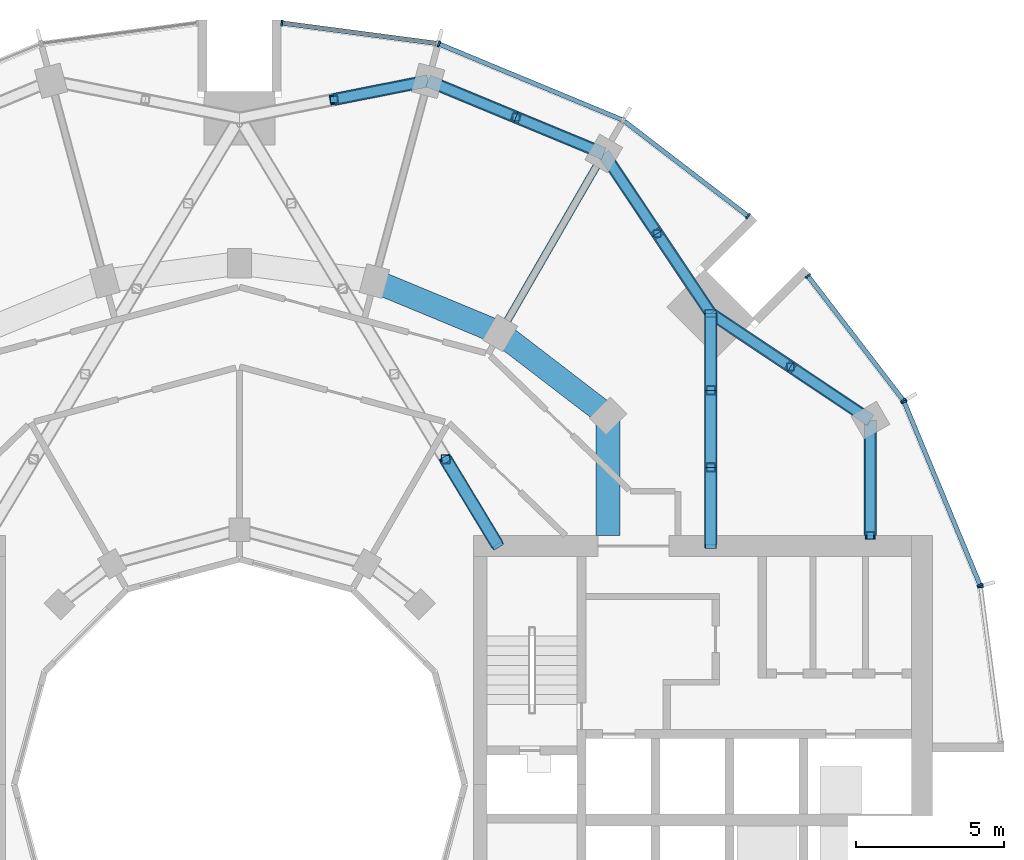
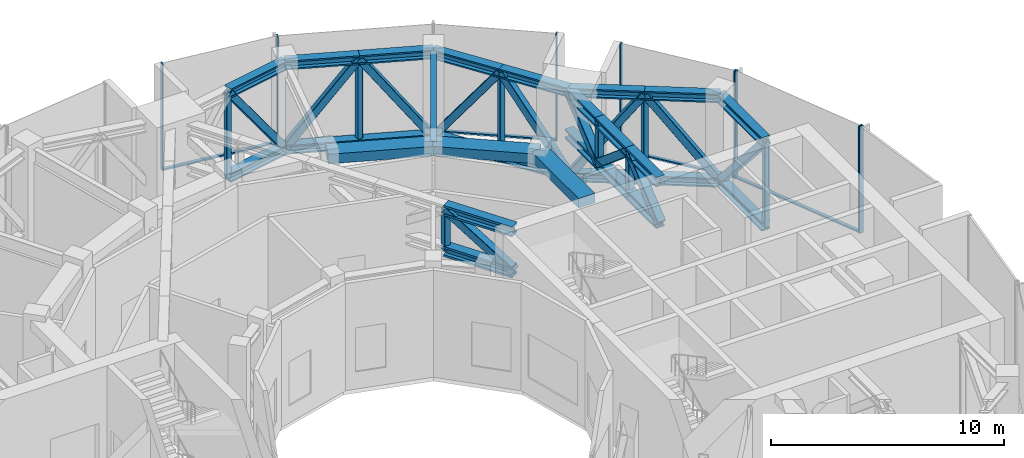
# One storey, part 9 of 18: 57 members, 4 beams, 6 elements without a shape of their own.
"""IFC4 building model written with IfcOpenShell, lengths in metres."""

from ifc_helpers import new_model, si_unit, direction, frame, origin, origin_2d, place, context, subcontext, project, spatial, rectangle, hollow_rectangle, i_section, extrude, material, layer, layer_set, material_profile, profile_set, type_object, element, aggregate, save


model = new_model("IFC4")

# Units and contexts
model_context = context("Model", 3, precision=1e-05, world=origin(), true_north=direction((0.0, 1.0)))
body_context = subcontext(model_context, "Body", "Model", "MODEL_VIEW")
ifc_project = project(units=[si_unit("LENGTHUNIT", "METRE"), si_unit("AREAUNIT", "SQUARE_METRE"), si_unit("VOLUMEUNIT", "CUBIC_METRE"), si_unit("PLANEANGLEUNIT", "RADIAN"), si_unit("MASSUNIT", "GRAM", prefix="KILO")], contexts=[model_context])

# Site, building, storey
site_placement = place(None, origin())
site = spatial("IfcSite", under=ifc_project, at=site_placement, CompositionType="ELEMENT")
building_placement = place(site_placement, origin())
building = spatial("IfcBuilding", under=site, at=building_placement, Name="Torre Brocal", CompositionType="ELEMENT")
storey_placement = place(building_placement, frame((0.0, 0.0, 109.0)))
storey = spatial("IfcBuildingStorey", under=building, at=storey_placement, Name="L25", CompositionType="ELEMENT", Elevation=109.0)

# Members
ifc_material_1 = material(Name="Steel A500 Grade C", Category="steel")
ifc_material_profile_1 = material_profile(ifc_material_1, hollow_rectangle(XDim=0.25390625, YDim=0.25390625, WallThickness=0.01171875, InnerFilletRadius=0.01171875, OuterFilletRadius=0.023681640625, at=origin_2d()), Name="HSS10X10X1/2")
ifc_profile_set_1 = profile_set([ifc_material_profile_1], Name="Steel A500 Grade C")
member_type_1 = type_object("IfcMemberType", Name="BELT 1 POST HSS10X10X1/2", PredefinedType="POST", material=ifc_profile_set_1)
for number, where, z_axis, x_axis, name in (
    (1, (98.607177734375, 89.10498046875, 0.63232421875), (0.0, 0.0, 1.0), (1.0, 0.0, 0.0), "Member BT1-P01"),
    (2, (94.10498046875, 93.607177734375, 0.63232421875), (0.0, 0.0, 1.0), (1.0, 0.0, 0.0), "Member BT1-P02"),
    (3, (89.33349609375, 97.532958984375, 0.63232421875), (0.0, 0.0, 1.0), (1.0, 0.0, 0.0), "Member BT1-P03"),
    (4, (83.18359375, 98.130859375, 0.63232421875), (0.0, 0.0, 1.0), (1.0, 0.0, 0.0), "Member BT1-P04"),
    (5, (101.30419921875, 83.39990234375, 0.63232421875), (0.0, 0.0, 1.0), (1.0, 0.0, 0.0), "Member BT1-P20"),
):
    element("IfcMember", number, at=place(storey_placement, frame(where, z_axis=z_axis, x_axis=x_axis)), inside=storey, type_object=member_type_1, Name=name, PredefinedType="POST", context=body_context, shape_type="SweptSolid", body=[
        extrude(hollow_rectangle(XDim=0.25390625, YDim=0.25390625, WallThickness=0.01171875, InnerFilletRadius=0.01171875, OuterFilletRadius=0.023681640625, at=origin_2d()), origin(), (0.0, 0.0, 1.0), 4.415283203125),
    ])

# Curtain wall, members
ifc_material_2 = material(Name="Aluminium and glass", Category="aluminium")
ifc_layer_1 = layer(ifc_material_2, 0.199951171875)
ifc_layer_set_1 = layer_set([ifc_layer_1], Name="Aluminium and glass")
curtain_wall_type_1 = type_object("IfcCurtainWallType", Name="CW-1 CURTAIN WALL 5600 HIGH", PredefinedType="NOTDEFINED", material=ifc_layer_set_1)
curtain_wall_1_placement = place(storey_placement, origin())
curtain_wall_1 = element("IfcCurtainWall", 6, at=curtain_wall_1_placement, inside=storey, type_object=curtain_wall_type_1, Name="CW-1 RUN 2", PredefinedType="NOTDEFINED")
ifc_material_3 = material(Name="Aluminium, dark anodised", Category="aluminium")
ifc_material_profile_2 = material_profile(ifc_material_3, rectangle(XDim=0.199951171875, YDim=0.06005859375, at=origin_2d()), Name="CW-1 MULLION 60X200")
ifc_profile_set_2 = profile_set([ifc_material_profile_2], Name="Aluminium, dark anodised")
member_type_2 = type_object("IfcMemberType", Name="CW-1 MULLION 60X200", PredefinedType="MULLION", material=ifc_profile_set_2)
member_1_placement = place(storey_placement, frame((105.005126953125, 81.73095703125, 0.0), z_axis=(0.0, 0.0, 1.0), x_axis=(-0.923879532525, -0.382683432333, 0.0)))
member_1 = element("IfcMember", 7, at=member_1_placement, type_object=member_type_2, Name="CW1-2 mullion 1", PredefinedType="MULLION", context=body_context, shape_type="SweptSolid", body=[
    extrude(rectangle(XDim=0.199951171875, YDim=0.06005859375, at=origin_2d()), origin(), (0.0, 0.0, 1.0), 5.60009765625),
])
member_2_placement = place(storey_placement, frame((102.440673828125, 87.921875, 0.0), z_axis=(0.0, 0.0, 1.0), x_axis=(-0.923879532525, -0.382683432333, 0.0)))
member_2 = element("IfcMember", 8, at=member_2_placement, type_object=member_type_2, Name="CW1-2 mullion 2", PredefinedType="MULLION", context=body_context, shape_type="SweptSolid", body=[
    extrude(rectangle(XDim=0.199951171875, YDim=0.06005859375, at=origin_2d()), origin(), (0.0, 0.0, 1.0), 5.60009765625),
])

curtain_wall_2_placement = place(storey_placement, origin())
curtain_wall_2 = element("IfcCurtainWall", 9, at=curtain_wall_2_placement, inside=storey, type_object=curtain_wall_type_1, Name="CW-1 RUN 3", PredefinedType="NOTDEFINED")
member_3_placement = place(storey_placement, frame((102.4111328125, 87.973388671875, 0.0), z_axis=(0.0, 0.0, 1.0), x_axis=(-0.793353340259, -0.60876142905, 0.0)))
member_3 = element("IfcMember", 10, at=member_3_placement, type_object=member_type_2, Name="CW1-2 mullion 1", PredefinedType="MULLION", context=body_context, shape_type="SweptSolid", body=[
    extrude(rectangle(XDim=0.199951171875, YDim=0.06005859375, at=origin_2d()), origin(), (0.0, 0.0, 1.0), 5.60009765625),
])
member_4_placement = place(storey_placement, frame((99.19140625, 92.16943359375, 0.0), z_axis=(0.0, 0.0, 1.0), x_axis=(-0.793353340259, -0.60876142905, 0.0)))
member_4 = element("IfcMember", 11, at=member_4_placement, type_object=member_type_2, Name="CW1-2 mullion 2", PredefinedType="MULLION", context=body_context, shape_type="SweptSolid", body=[
    extrude(rectangle(XDim=0.199951171875, YDim=0.06005859375, at=origin_2d()), origin(), (0.0, 0.0, 1.0), 5.60009765625),
])

# Curtain wall, member
curtain_wall_3_placement = place(storey_placement, origin())
curtain_wall_3 = element("IfcCurtainWall", 12, at=curtain_wall_3_placement, inside=storey, type_object=curtain_wall_type_1, Name="CW-1 RUN 4", PredefinedType="NOTDEFINED")
member_5_placement = place(storey_placement, frame((97.16943359375, 94.19140625, 0.0), z_axis=(0.0, 0.0, 1.0), x_axis=(-0.60876142905, -0.793353340259, 0.0)))
member_5 = element("IfcMember", 13, at=member_5_placement, type_object=member_type_2, Name="CW1-2 mullion 1", PredefinedType="MULLION", context=body_context, shape_type="SweptSolid", body=[
    extrude(rectangle(XDim=0.199951171875, YDim=0.06005859375, at=origin_2d()), origin(), (0.0, 0.0, 1.0), 5.60009765625),
])

curtain_wall_4_placement = place(storey_placement, origin())
curtain_wall_4 = element("IfcCurtainWall", 14, at=curtain_wall_4_placement, inside=storey, type_object=curtain_wall_type_1, Name="CW-1 RUN 5", PredefinedType="NOTDEFINED")
member_6_placement = place(storey_placement, frame((86.73095703125, 100.005126953125, 0.0), z_axis=(0.0, 0.0, 1.0), x_axis=(-0.382683432333, -0.923879532525, 0.0)))
member_6 = element("IfcMember", 15, at=member_6_placement, type_object=member_type_2, Name="CW1-2 mullion 2", PredefinedType="MULLION", context=body_context, shape_type="SweptSolid", body=[
    extrude(rectangle(XDim=0.199951171875, YDim=0.06005859375, at=origin_2d()), origin(), (0.0, 0.0, 1.0), 5.60009765625),
])

curtain_wall_5_placement = place(storey_placement, origin())
curtain_wall_5 = element("IfcCurtainWall", 16, at=curtain_wall_5_placement, inside=storey, type_object=curtain_wall_type_1, Name="CW-1 RUN 6", PredefinedType="NOTDEFINED")
member_7_placement = place(storey_placement, frame((81.4296875, 100.7109375, 0.0), z_axis=(0.0, 0.0, 1.0), x_axis=(-0.13052619222, -0.991444861374, 0.0)))
member_7 = element("IfcMember", 17, at=member_7_placement, type_object=member_type_2, Name="CW1-2 mullion 2", PredefinedType="MULLION", context=body_context, shape_type="SweptSolid", body=[
    extrude(rectangle(XDim=0.199951171875, YDim=0.06005859375, at=origin_2d()), origin(), (0.0, 0.0, 1.0), 5.60009765625),
])

# Member
ifc_material_4 = material(Name="Aluminium, dark anodised", Category="aluminium")
ifc_material_profile_3 = material_profile(ifc_material_4, rectangle(XDim=0.159912109375, YDim=0.080078125, at=origin_2d()), Name="CW-1 TRANSOM 160X80")
ifc_profile_set_3 = profile_set([ifc_material_profile_3], Name="Aluminium, dark anodised")
member_type_3 = type_object("IfcMemberType", Name="CW-1 TRANSOM 160X80", PredefinedType="USERDEFINED", material=ifc_profile_set_3)
member_8_placement = place(storey_placement, frame((104.99365234375, 81.758544921875, 0.0400390625), z_axis=(-0.38266457234, 0.923887344364, 0.0), x_axis=(-0.923887344364, -0.38266457234, 0.0)))
member_8 = element("IfcMember", 18, at=member_8_placement, type_object=member_type_3, Name="CW1-2 transom 1.1", ObjectType="TRANSOM", PredefinedType="USERDEFINED", context=body_context, shape_type="SweptSolid", body=[
    extrude(rectangle(XDim=0.159912109375, YDim=0.080078125, at=origin_2d()), origin(), (0.0, 0.0, 1.0), 6.640869140625),
])

aggregate(curtain_wall_1, [member_1, member_2, member_8])

member_9_placement = place(storey_placement, frame((102.392822265625, 87.9970703125, 0.0400390625), z_axis=(-0.60874908096, 0.79336281513, 0.0), x_axis=(-0.79336281513, -0.60874908096, 0.0)))
member_9 = element("IfcMember", 19, at=member_9_placement, type_object=member_type_3, Name="CW1-2 transom 1.1", ObjectType="TRANSOM", PredefinedType="USERDEFINED", context=body_context, shape_type="SweptSolid", body=[
    extrude(rectangle(XDim=0.159912109375, YDim=0.080078125, at=origin_2d()), origin(), (0.0, 0.0, 1.0), 5.22900390625),
])

aggregate(curtain_wall_2, [member_3, member_4, member_9])

member_10_placement = place(storey_placement, frame((97.1455078125, 94.209716796875, 0.0400390625), z_axis=(-0.79336281513, 0.60874908096, 0.0), x_axis=(-0.60874908096, -0.79336281513, 0.0)))
member_10 = element("IfcMember", 20, at=member_10_placement, type_object=member_type_3, Name="CW1-2 transom 1.1", ObjectType="TRANSOM", PredefinedType="USERDEFINED", context=body_context, shape_type="SweptSolid", body=[
    extrude(rectangle(XDim=0.159912109375, YDim=0.080078125, at=origin_2d()), origin(), (0.0, 0.0, 1.0), 5.22900390625),
])

aggregate(curtain_wall_3, [member_5, member_10])

member_11_placement = place(storey_placement, frame((92.89404296875, 97.452392578125, 0.0400390625), z_axis=(-0.923887344364, 0.38266457234, 0.0), x_axis=(-0.38266457234, -0.923887344364, 0.0)))
member_11 = element("IfcMember", 21, at=member_11_placement, type_object=member_type_3, Name="CW1-2 transom 1.1", ObjectType="TRANSOM", PredefinedType="USERDEFINED", context=body_context, shape_type="SweptSolid", body=[
    extrude(rectangle(XDim=0.159912109375, YDim=0.080078125, at=origin_2d()), origin(), (0.0, 0.0, 1.0), 6.640869140625),
])

aggregate(curtain_wall_4, [member_6, member_11])

member_12_placement = place(storey_placement, frame((86.643798828125, 100.0244140625, 0.0400390625), z_axis=(-0.991442690863, 0.130542677827, 0.0), x_axis=(-0.130542677827, -0.991442690863, 0.0)))
member_12 = element("IfcMember", 22, at=member_12_placement, type_object=member_type_3, Name="CW1-2 transom 1.1", ObjectType="TRANSOM", PredefinedType="USERDEFINED", context=body_context, shape_type="SweptSolid", body=[
    extrude(rectangle(XDim=0.159912109375, YDim=0.080078125, at=origin_2d()), origin(), (0.0, 0.0, 1.0), 5.22900390625),
])

aggregate(curtain_wall_5, [member_7, member_12])

# Curtain wall, member
ifc_material_5 = material(Name="Aluminium and glass", Category="aluminium")
ifc_layer_2 = layer(ifc_material_5, 0.199951171875)
ifc_layer_set_2 = layer_set([ifc_layer_2], Name="Aluminium and glass")
curtain_wall_type_2 = type_object("IfcCurtainWallType", Name="CW-1B CURTAIN WALL 5600 HIGH", PredefinedType="NOTDEFINED", material=ifc_layer_set_2)
curtain_wall_6_placement = place(storey_placement, origin())
curtain_wall_6 = element("IfcCurtainWall", 23, at=curtain_wall_6_placement, inside=storey, type_object=curtain_wall_type_2, Name="CW-1B RUN 1", PredefinedType="NOTDEFINED")
ifc_material_6 = material(Name="Aluminium, dark anodised", Category="aluminium")
ifc_material_profile_4 = material_profile(ifc_material_6, rectangle(XDim=0.199951171875, YDim=0.06005859375, at=origin_2d()), Name="CW-1B MULLION 60X200")
ifc_profile_set_4 = profile_set([ifc_material_profile_4], Name="Aluminium, dark anodised")
member_type_4 = type_object("IfcMemberType", Name="CW-1B MULLION 60X200", PredefinedType="MULLION", material=ifc_profile_set_4)
member_13_placement = place(storey_placement, frame((105.0205078125, 81.67333984375, 0.0), z_axis=(0.0, 0.0, 1.0), x_axis=(-0.991444861374, -0.13052619222, 0.0)))
member_13 = element("IfcMember", 24, at=member_13_placement, type_object=member_type_4, Name="CW1B-2 mullion 2", PredefinedType="MULLION", context=body_context, shape_type="SweptSolid", body=[
    extrude(rectangle(XDim=0.199951171875, YDim=0.06005859375, at=origin_2d()), origin(), (0.0, 0.0, 1.0), 5.60009765625),
])
aggregate(curtain_wall_6, [member_13])

# Members
ifc_material_7 = material(Name="Steel A500 Grade C", Category="steel")
ifc_material_profile_5 = material_profile(ifc_material_7, hollow_rectangle(XDim=0.3046875, YDim=0.3046875, WallThickness=0.014892578125, InnerFilletRadius=0.014892578125, OuterFilletRadius=0.029541015625, at=origin_2d()), Name="HSS12X12X5/8")
ifc_profile_set_5 = profile_set([ifc_material_profile_5], Name="Steel A500 Grade C")
member_type_5 = type_object("IfcMemberType", Name="OUTRIGGER 1 POST HSS12X12X5/8", PredefinedType="POST", material=ifc_profile_set_5)
for number, where, z_axis, x_axis, name in (
    (25, (95.909912109375, 85.703369140625, 2.848876953125), (0.0, 0.0, 1.0), (1.0, 0.0, 0.0), "Member OT1-P01"),
    (26, (95.909912109375, 88.306640625, 2.848876953125), (0.0, 0.0, 1.0), (1.0, 0.0, 0.0), "Member OT1-P02"),
):
    element("IfcMember", number, at=place(storey_placement, frame(where, z_axis=z_axis, x_axis=x_axis)), inside=storey, type_object=member_type_5, Name=name, PredefinedType="POST", context=body_context, shape_type="SweptSolid", body=[
        extrude(hollow_rectangle(XDim=0.3046875, YDim=0.3046875, WallThickness=0.014892578125, InnerFilletRadius=0.014892578125, OuterFilletRadius=0.029541015625, at=origin_2d()), origin(), (0.0, 0.0, 1.0), 2.18212890625),
    ])
member_14_placement = place(storey_placement, frame((86.9599609375, 85.97998046875, 2.865478515625), z_axis=(0.0, 0.0, 1.0), x_axis=(1.0, 0.0, 0.0)))
element("IfcMember", 27, at=member_14_placement, inside=storey, type_object=member_type_5, Name="Member OT1-P03", PredefinedType="POST", context=body_context, shape_type="SweptSolid", body=[
    extrude(hollow_rectangle(XDim=0.3046875, YDim=0.3046875, WallThickness=0.014892578125, InnerFilletRadius=0.014892578125, OuterFilletRadius=0.029541015625, at=origin_2d()), origin(), (0.0, 0.0, 1.0), 2.149169921875),
])

# Beams
ifc_material_8 = material(Name="Steel A992", Category="steel")
ifc_material_profile_6 = material_profile(ifc_material_8, i_section(OverallWidth=0.256591796875, OverallDepth=0.693359375, WebThickness=0.014404296875, FlangeThickness=0.023681640625, at=origin_2d()), Name="W27X114")
ifc_profile_set_6 = profile_set([ifc_material_profile_6], Name="Steel A992")
beam_type_1 = type_object("IfcBeamType", Name="PLANT FLOOR BEAM TOP 5280 W27X114", PredefinedType="BEAM", material=ifc_profile_set_6)
beam_1_placement = place(storey_placement, frame((88.800048828125, 90.241943359375, 4.933349609375), z_axis=(0.499995173006, 0.866028190633, 0.0), x_axis=(-0.866028190633, 0.499995173006, 0.0)))
element("IfcBeam", 28, at=beam_1_placement, inside=storey, type_object=beam_type_1, Name="Beam SF-01", PredefinedType="BEAM", context=body_context, shape_type="SweptSolid", body=[
    extrude(i_section(OverallWidth=0.256591796875, OverallDepth=0.693359375, WebThickness=0.014404296875, FlangeThickness=0.023681640625, at=origin_2d()), origin(), (0.0, 0.0, 1.0), 7.0),
])
ifc_material_9 = material(Name="Concrete C50", Category="concrete")
ifc_material_profile_7 = material_profile(ifc_material_9, rectangle(XDim=0.800048828125, YDim=0.5, at=origin_2d()), Name="RC 800X500")
ifc_profile_set_7 = profile_set([ifc_material_profile_7], Name="Concrete C50")
beam_type_2 = type_object("IfcBeamType", Name="RC BEAM 800X500 C50 TOP 5280", PredefinedType="BEAM", material=ifc_profile_set_7)
beam_2_placement = place(storey_placement, frame((92.445068359375, 87.445068359375, 5.030029296875), z_axis=(-0.793358265959, 0.6087550097, 0.0), x_axis=(-0.6087550097, -0.793358265959, 0.0)))
element("IfcBeam", 29, at=beam_2_placement, inside=storey, type_object=beam_type_2, Name="Beam BT-27", PredefinedType="BEAM", context=body_context, shape_type="SweptSolid", body=[
    extrude(rectangle(XDim=0.800048828125, YDim=0.5, at=origin_2d()), origin(), (0.0, 0.0, 1.0), 4.594482421875),
])
beam_3_placement = place(storey_placement, frame((88.800048828125, 90.241943359375, 5.030029296875), z_axis=(-0.923878240166, 0.382686552348, 0.0), x_axis=(-0.382686552348, -0.923878240166, 0.0)))
element("IfcBeam", 30, at=beam_3_placement, inside=storey, type_object=beam_type_2, Name="Beam BT-27", PredefinedType="BEAM", context=body_context, shape_type="SweptSolid", body=[
    extrude(rectangle(XDim=0.800048828125, YDim=0.5, at=origin_2d()), origin(), (0.0, 0.0, 1.0), 4.5947265625),
])
beam_4_placement = place(storey_placement, frame((92.445068359375, 87.445068359375, 5.030029296875), z_axis=(0.0, -1.0, 0.0), x_axis=(1.0, 0.0, 0.0)))
element("IfcBeam", 31, at=beam_4_placement, inside=storey, type_object=beam_type_2, Name="Beam BT-27", PredefinedType="BEAM", context=body_context, shape_type="SweptSolid", body=[
    extrude(rectangle(XDim=0.800048828125, YDim=0.5, at=origin_2d()), origin(), (0.0, 0.0, 1.0), 4.045166015625),
])

# Members
ifc_material_10 = material(Name="Steel A992", Category="steel")
ifc_material_profile_8 = material_profile(ifc_material_10, i_section(OverallWidth=0.421630859375, OverallDepth=0.46484375, WebThickness=0.044921875, FlangeThickness=0.072509765625, at=origin_2d()), Name="W14X398")
ifc_profile_set_8 = profile_set([ifc_material_profile_8], Name="Steel A992")
member_type_6 = type_object("IfcMemberType", Name="TRUSS BOTTOM CHORD W14X398", PredefinedType="CHORD", material=ifc_profile_set_8)
for number, where, z_axis, x_axis, name in (
    (32, (101.30419921875, 87.300048828125, 0.63232421875), (-0.831065209559, 0.556174988166, 0.0), (-0.556174988166, -0.831065209559, 0.0), "Member BT1-C02"),
    (33, (98.607177734375, 89.10498046875, 0.63232421875), (-0.831088478302, 0.556140217242, 0.0), (-0.556140217242, -0.831088478302, 0.0), "Member BT1-C04"),
    (34, (95.909912109375, 90.909912109375, 0.63232421875), (-0.556140217242, 0.831088478302, 0.0), (-0.831088478302, -0.556140217242, 0.0), "Member BT1-C06"),
    (35, (94.10498046875, 93.607177734375, 0.63232421875), (-0.556174988166, 0.831065209559, 0.0), (-0.831065209559, -0.556174988166, 0.0), "Member BT1-C08"),
):
    element("IfcMember", number, at=place(storey_placement, frame(where, z_axis=z_axis, x_axis=x_axis)), inside=storey, type_object=member_type_6, Name=name, PredefinedType="CHORD", context=body_context, shape_type="SweptSolid", body=[
        extrude(i_section(OverallWidth=0.421630859375, OverallDepth=0.46484375, WebThickness=0.044921875, FlangeThickness=0.072509765625, at=origin_2d()), origin(), (0.0, 0.0, 1.0), 3.245361328125),
    ])
for number, where, z_axis, x_axis, name in (
    (36, (92.300048828125, 96.30419921875, 0.63232421875), (-0.923882462513, 0.382676358639, 0.0), (-0.382676358639, -0.923882462513, 0.0), "Member BT1-C10"),
    (37, (89.33349609375, 97.532958984375, 0.63232421875), (-0.923882462513, 0.382676358639, 0.0), (-0.382676358639, -0.923882462513, 0.0), "Member BT1-C12"),
):
    element("IfcMember", number, at=place(storey_placement, frame(where, z_axis=z_axis, x_axis=x_axis)), inside=storey, type_object=member_type_6, Name=name, PredefinedType="CHORD", context=body_context, shape_type="SweptSolid", body=[
        extrude(i_section(OverallWidth=0.421630859375, OverallDepth=0.46484375, WebThickness=0.044921875, FlangeThickness=0.072509765625, at=origin_2d()), origin(), (0.0, 0.0, 1.0), 3.2109375),
    ])
member_15_placement = place(storey_placement, frame((86.366943359375, 98.76171875, 0.63232421875), z_axis=(-0.980923486126, -0.194394224108, 0.0), x_axis=(0.194394224108, -0.980923486126, 0.0)))
element("IfcMember", 38, at=member_15_placement, inside=storey, type_object=member_type_6, Name="Member BT1-C14", PredefinedType="CHORD", context=body_context, shape_type="SweptSolid", body=[
    extrude(i_section(OverallWidth=0.421630859375, OverallDepth=0.46484375, WebThickness=0.044921875, FlangeThickness=0.072509765625, at=origin_2d()), origin(), (0.0, 0.0, 1.0), 3.245361328125),
])
member_16_placement = place(storey_placement, frame((101.30419921875, 87.300048828125, 0.63232421875), z_axis=(0.0, -1.0, 0.0), x_axis=(1.0, 0.0, 0.0)))
element("IfcMember", 39, at=member_16_placement, inside=storey, type_object=member_type_6, Name="Member BT1-C72", PredefinedType="CHORD", context=body_context, shape_type="SweptSolid", body=[
    extrude(i_section(OverallWidth=0.421630859375, OverallDepth=0.46484375, WebThickness=0.044921875, FlangeThickness=0.072509765625, at=origin_2d()), origin(), (0.0, 0.0, 1.0), 3.900146484375),
])
ifc_material_11 = material(Name="Steel A992", Category="steel")
ifc_material_profile_9 = material_profile(ifc_material_11, i_section(OverallWidth=0.431884765625, OverallDepth=0.497802734375, WebThickness=0.0556640625, FlangeThickness=0.0888671875, at=origin_2d()), Name="W14X500")
ifc_profile_set_9 = profile_set([ifc_material_profile_9], Name="Steel A992")
member_type_7 = type_object("IfcMemberType", Name="TRUSS BOTTOM CHORD W14X500", PredefinedType="CHORD", material=ifc_profile_set_9)
for number, where, z_axis, x_axis, name in (
    (40, (95.909912109375, 83.10009765625, 2.848876953125), (0.0, 1.0, 0.0), (-1.0, 0.0, 0.0), "Member OT1-C02"),
    (41, (95.909912109375, 85.703369140625, 2.848876953125), (0.0, 1.0, 0.0), (-1.0, 0.0, 0.0), "Member OT1-C04"),
    (42, (95.909912109375, 88.306640625, 2.848876953125), (0.0, 1.0, 0.0), (-1.0, 0.0, 0.0), "Member OT1-C06"),
):
    element("IfcMember", number, at=place(storey_placement, frame(where, z_axis=z_axis, x_axis=x_axis)), inside=storey, type_object=member_type_7, Name=name, PredefinedType="CHORD", context=body_context, shape_type="SweptSolid", body=[
        extrude(i_section(OverallWidth=0.431884765625, OverallDepth=0.497802734375, WebThickness=0.0556640625, FlangeThickness=0.0888671875, at=origin_2d()), origin(), (0.0, 0.0, 1.0), 2.603271484375),
    ])
ifc_material_12 = material(Name="Steel A992", Category="steel")
ifc_material_profile_10 = material_profile(ifc_material_12, i_section(OverallWidth=0.44189453125, OverallDepth=0.531005859375, WebThickness=0.06591796875, FlangeThickness=0.105712890625, at=origin_2d()), Name="W14X605")
ifc_profile_set_10 = profile_set([ifc_material_profile_10], Name="Steel A992")
member_type_8 = type_object("IfcMemberType", Name="TRUSS BOTTOM CHORD W14X605", PredefinedType="CHORD", material=ifc_profile_set_10)
member_17_placement = place(storey_placement, frame((88.699951171875, 83.10009765625, 2.865478515625), z_axis=(-0.517128928912, 0.855907513042, 0.0), x_axis=(-0.855907513042, -0.517128928912, 0.0)))
element("IfcMember", 43, at=member_17_placement, inside=storey, type_object=member_type_8, Name="Member OT1-C08", PredefinedType="CHORD", context=body_context, shape_type="SweptSolid", body=[
    extrude(i_section(OverallWidth=0.44189453125, OverallDepth=0.531005859375, WebThickness=0.06591796875, FlangeThickness=0.105712890625, at=origin_2d()), origin(), (0.0, 0.0, 1.0), 3.36474609375),
])
ifc_material_13 = material(Name="Steel A500 Grade C", Category="steel")
ifc_material_profile_11 = material_profile(ifc_material_13, hollow_rectangle(XDim=0.355712890625, YDim=0.355712890625, WallThickness=0.014892578125, InnerFilletRadius=0.014892578125, OuterFilletRadius=0.029541015625, at=origin_2d()), Name="HSS14X14X5/8")
ifc_profile_set_11 = profile_set([ifc_material_profile_11], Name="Steel A500 Grade C")
member_type_9 = type_object("IfcMemberType", Name="TRUSS DIAGONAL HSS14X14X5/8", PredefinedType="BRACE", material=ifc_profile_set_11)
for number, where, z_axis, x_axis, name in (
    (44, (101.30419921875, 87.300048828125, 0.63232421875), (-0.492189749034, 0.329388867078, 0.805761891126), (-0.556174988166, -0.831065209559, 0.0), "Member BT1-D01"),
    (45, (98.607177734375, 89.10498046875, 5.047607421875), (-0.492223508801, 0.329381643787, -0.805744221276), (-0.556140217242, -0.831088478302, 0.0), "Member BT1-D02"),
    (46, (95.909912109375, 90.909912109375, 0.63232421875), (-0.329381643787, 0.492223508801, 0.805744221276), (-0.831088478302, -0.556140217242, 0.0), "Member BT1-D03"),
    (47, (94.10498046875, 93.607177734375, 5.047607421875), (-0.329388867078, 0.492189749034, -0.805761891126), (-0.831065209559, -0.556174988166, 0.0), "Member BT1-D04"),
):
    element("IfcMember", number, at=place(storey_placement, frame(where, z_axis=z_axis, x_axis=x_axis)), inside=storey, type_object=member_type_9, Name=name, PredefinedType="BRACE", context=body_context, shape_type="SweptSolid", body=[
        extrude(hollow_rectangle(XDim=0.355712890625, YDim=0.355712890625, WallThickness=0.014892578125, InnerFilletRadius=0.014892578125, OuterFilletRadius=0.029541015625, at=origin_2d()), origin(), (0.0, 0.0, 1.0), 5.479736328125),
    ])
for number, where, z_axis, x_axis, name in (
    (48, (92.300048828125, 96.30419921875, 0.63232421875), (-0.543384725643, 0.225072448701, 0.80874930156), (-0.382676358639, -0.923882462513, 0.0), "Member BT1-D05"),
    (49, (89.33349609375, 97.532958984375, 5.047607421875), (-0.543384725643, 0.225072448701, -0.80874930156), (-0.382676358639, -0.923882462513, 0.0), "Member BT1-D06"),
):
    element("IfcMember", number, at=place(storey_placement, frame(where, z_axis=z_axis, x_axis=x_axis)), inside=storey, type_object=member_type_9, Name=name, PredefinedType="BRACE", context=body_context, shape_type="SweptSolid", body=[
        extrude(hollow_rectangle(XDim=0.355712890625, YDim=0.355712890625, WallThickness=0.014892578125, InnerFilletRadius=0.014892578125, OuterFilletRadius=0.029541015625, at=origin_2d()), origin(), (0.0, 0.0, 1.0), 5.45947265625),
    ])
member_18_placement = place(storey_placement, frame((86.366943359375, 98.76171875, 0.63232421875), z_axis=(-0.580941672273, -0.115127945483, 0.805761955906), x_axis=(0.194394224108, -0.980923486126, 0.0)))
element("IfcMember", 50, at=member_18_placement, inside=storey, type_object=member_type_9, Name="Member BT1-D07", PredefinedType="BRACE", context=body_context, shape_type="SweptSolid", body=[
    extrude(hollow_rectangle(XDim=0.355712890625, YDim=0.355712890625, WallThickness=0.014892578125, InnerFilletRadius=0.014892578125, OuterFilletRadius=0.029541015625, at=origin_2d()), origin(), (0.0, 0.0, 1.0), 5.479736328125),
])
member_19_placement = place(storey_placement, frame((101.30419921875, 87.300048828125, 0.63232421875), z_axis=(0.0, -0.662032730549, 0.749474925319), x_axis=(1.0, 0.0, 0.0)))
element("IfcMember", 51, at=member_19_placement, inside=storey, type_object=member_type_9, Name="Member BT1-D36", PredefinedType="BRACE", context=body_context, shape_type="SweptSolid", body=[
    extrude(hollow_rectangle(XDim=0.355712890625, YDim=0.355712890625, WallThickness=0.014892578125, InnerFilletRadius=0.014892578125, OuterFilletRadius=0.029541015625, at=origin_2d()), origin(), (0.0, 0.0, 1.0), 5.89111328125),
])
ifc_material_14 = material(Name="Steel A500 Grade C", Category="steel")
ifc_material_profile_12 = material_profile(ifc_material_14, hollow_rectangle(XDim=0.406494140625, YDim=0.406494140625, WallThickness=0.017578125, InnerFilletRadius=0.017578125, OuterFilletRadius=0.035400390625, at=origin_2d()), Name="HSS16X16X3/4")
ifc_profile_set_12 = profile_set([ifc_material_profile_12], Name="Steel A500 Grade C")
member_type_10 = type_object("IfcMemberType", Name="TRUSS DIAGONAL HSS16X16X3/4", PredefinedType="BRACE", material=ifc_profile_set_12)
for number, where, z_axis, x_axis, name in (
    (52, (95.909912109375, 83.10009765625, 2.848876953125), (0.0, 0.766374156466, 0.642394467832), (-1.0, 0.0, 0.0), "Member OT1-D01"),
    (53, (95.909912109375, 85.703369140625, 5.031005859375), (0.0, 0.766374156466, -0.642394467832), (-1.0, 0.0, 0.0), "Member OT1-D02"),
    (54, (95.909912109375, 88.306640625, 2.848876953125), (0.0, 0.766374156466, 0.642394467832), (-1.0, 0.0, 0.0), "Member OT1-D03"),
):
    element("IfcMember", number, at=place(storey_placement, frame(where, z_axis=z_axis, x_axis=x_axis)), inside=storey, type_object=member_type_10, Name=name, PredefinedType="BRACE", context=body_context, shape_type="SweptSolid", body=[
        extrude(hollow_rectangle(XDim=0.406494140625, YDim=0.406494140625, WallThickness=0.017578125, InnerFilletRadius=0.017578125, OuterFilletRadius=0.035400390625, at=origin_2d()), origin(), (0.0, 0.0, 1.0), 3.39697265625),
    ])
member_20_placement = place(storey_placement, frame((88.699951171875, 83.10009765625, 2.865478515625), z_axis=(-0.435812440092, 0.72131942519, 0.538298991179), x_axis=(-0.855907513042, -0.517128928912, 0.0)))
element("IfcMember", 55, at=member_20_placement, inside=storey, type_object=member_type_10, Name="Member OT1-D04", PredefinedType="BRACE", context=body_context, shape_type="SweptSolid", body=[
    extrude(hollow_rectangle(XDim=0.406494140625, YDim=0.406494140625, WallThickness=0.017578125, InnerFilletRadius=0.017578125, OuterFilletRadius=0.035400390625, at=origin_2d()), origin(), (0.0, 0.0, 1.0), 3.992431640625),
])
ifc_material_15 = material(Name="Steel A992", Category="steel")
ifc_material_profile_13 = material_profile(ifc_material_15, i_section(OverallWidth=0.421630859375, OverallDepth=0.46484375, WebThickness=0.044921875, FlangeThickness=0.072509765625, at=origin_2d()), Name="W14X398")
ifc_profile_set_13 = profile_set([ifc_material_profile_13], Name="Steel A992")
member_type_11 = type_object("IfcMemberType", Name="TRUSS TOP CHORD W14X398", PredefinedType="CHORD", material=ifc_profile_set_13)
for number, where, z_axis, x_axis, name in (
    (56, (101.30419921875, 87.300048828125, 5.047607421875), (-0.831065209559, 0.556174988166, 0.0), (-0.556174988166, -0.831065209559, 0.0), "Member BT1-C01"),
    (57, (98.607177734375, 89.10498046875, 5.047607421875), (-0.831088478302, 0.556140217242, 0.0), (-0.556140217242, -0.831088478302, 0.0), "Member BT1-C03"),
    (58, (95.909912109375, 90.909912109375, 5.047607421875), (-0.556140217242, 0.831088478302, 0.0), (-0.831088478302, -0.556140217242, 0.0), "Member BT1-C05"),
    (59, (94.10498046875, 93.607177734375, 5.047607421875), (-0.556174988166, 0.831065209559, 0.0), (-0.831065209559, -0.556174988166, 0.0), "Member BT1-C07"),
):
    element("IfcMember", number, at=place(storey_placement, frame(where, z_axis=z_axis, x_axis=x_axis)), inside=storey, type_object=member_type_11, Name=name, PredefinedType="CHORD", context=body_context, shape_type="SweptSolid", body=[
        extrude(i_section(OverallWidth=0.421630859375, OverallDepth=0.46484375, WebThickness=0.044921875, FlangeThickness=0.072509765625, at=origin_2d()), origin(), (0.0, 0.0, 1.0), 3.245361328125),
    ])
for number, where, z_axis, x_axis, name in (
    (60, (92.300048828125, 96.30419921875, 5.047607421875), (-0.923882462513, 0.382676358639, 0.0), (-0.382676358639, -0.923882462513, 0.0), "Member BT1-C09"),
    (61, (89.33349609375, 97.532958984375, 5.047607421875), (-0.923882462513, 0.382676358639, 0.0), (-0.382676358639, -0.923882462513, 0.0), "Member BT1-C11"),
):
    element("IfcMember", number, at=place(storey_placement, frame(where, z_axis=z_axis, x_axis=x_axis)), inside=storey, type_object=member_type_11, Name=name, PredefinedType="CHORD", context=body_context, shape_type="SweptSolid", body=[
        extrude(i_section(OverallWidth=0.421630859375, OverallDepth=0.46484375, WebThickness=0.044921875, FlangeThickness=0.072509765625, at=origin_2d()), origin(), (0.0, 0.0, 1.0), 3.2109375),
    ])
member_21_placement = place(storey_placement, frame((86.366943359375, 98.76171875, 5.047607421875), z_axis=(-0.980923486126, -0.194394224108, 0.0), x_axis=(0.194394224108, -0.980923486126, 0.0)))
element("IfcMember", 62, at=member_21_placement, inside=storey, type_object=member_type_11, Name="Member BT1-C13", PredefinedType="CHORD", context=body_context, shape_type="SweptSolid", body=[
    extrude(i_section(OverallWidth=0.421630859375, OverallDepth=0.46484375, WebThickness=0.044921875, FlangeThickness=0.072509765625, at=origin_2d()), origin(), (0.0, 0.0, 1.0), 3.245361328125),
])
member_22_placement = place(storey_placement, frame((101.30419921875, 87.300048828125, 5.047607421875), z_axis=(0.0, -1.0, 0.0), x_axis=(1.0, 0.0, 0.0)))
element("IfcMember", 63, at=member_22_placement, inside=storey, type_object=member_type_11, Name="Member BT1-C71", PredefinedType="CHORD", context=body_context, shape_type="SweptSolid", body=[
    extrude(i_section(OverallWidth=0.421630859375, OverallDepth=0.46484375, WebThickness=0.044921875, FlangeThickness=0.072509765625, at=origin_2d()), origin(), (0.0, 0.0, 1.0), 3.900146484375),
])
ifc_material_16 = material(Name="Steel A992", Category="steel")
ifc_material_profile_14 = material_profile(ifc_material_16, i_section(OverallWidth=0.431884765625, OverallDepth=0.497802734375, WebThickness=0.0556640625, FlangeThickness=0.0888671875, at=origin_2d()), Name="W14X500")
ifc_profile_set_14 = profile_set([ifc_material_profile_14], Name="Steel A992")
member_type_12 = type_object("IfcMemberType", Name="TRUSS TOP CHORD W14X500", PredefinedType="CHORD", material=ifc_profile_set_14)
for number, where, z_axis, x_axis, name in (
    (64, (95.909912109375, 83.10009765625, 5.031005859375), (0.0, 1.0, 0.0), (-1.0, 0.0, 0.0), "Member OT1-C01"),
    (65, (95.909912109375, 85.703369140625, 5.031005859375), (0.0, 1.0, 0.0), (-1.0, 0.0, 0.0), "Member OT1-C03"),
    (66, (95.909912109375, 88.306640625, 5.031005859375), (0.0, 1.0, 0.0), (-1.0, 0.0, 0.0), "Member OT1-C05"),
):
    element("IfcMember", number, at=place(storey_placement, frame(where, z_axis=z_axis, x_axis=x_axis)), inside=storey, type_object=member_type_12, Name=name, PredefinedType="CHORD", context=body_context, shape_type="SweptSolid", body=[
        extrude(i_section(OverallWidth=0.431884765625, OverallDepth=0.497802734375, WebThickness=0.0556640625, FlangeThickness=0.0888671875, at=origin_2d()), origin(), (0.0, 0.0, 1.0), 2.603271484375),
    ])
ifc_material_17 = material(Name="Steel A992", Category="steel")
ifc_material_profile_15 = material_profile(ifc_material_17, i_section(OverallWidth=0.44189453125, OverallDepth=0.531005859375, WebThickness=0.06591796875, FlangeThickness=0.105712890625, at=origin_2d()), Name="W14X605")
ifc_profile_set_15 = profile_set([ifc_material_profile_15], Name="Steel A992")
member_type_13 = type_object("IfcMemberType", Name="TRUSS TOP CHORD W14X605", PredefinedType="CHORD", material=ifc_profile_set_15)
member_23_placement = place(storey_placement, frame((88.699951171875, 83.10009765625, 5.0146484375), z_axis=(-0.517128928912, 0.855907513042, 0.0), x_axis=(-0.855907513042, -0.517128928912, 0.0)))
element("IfcMember", 67, at=member_23_placement, inside=storey, type_object=member_type_13, Name="Member OT1-C07", PredefinedType="CHORD", context=body_context, shape_type="SweptSolid", body=[
    extrude(i_section(OverallWidth=0.44189453125, OverallDepth=0.531005859375, WebThickness=0.06591796875, FlangeThickness=0.105712890625, at=origin_2d()), origin(), (0.0, 0.0, 1.0), 3.36474609375),
])

save(model, "model.ifc")
